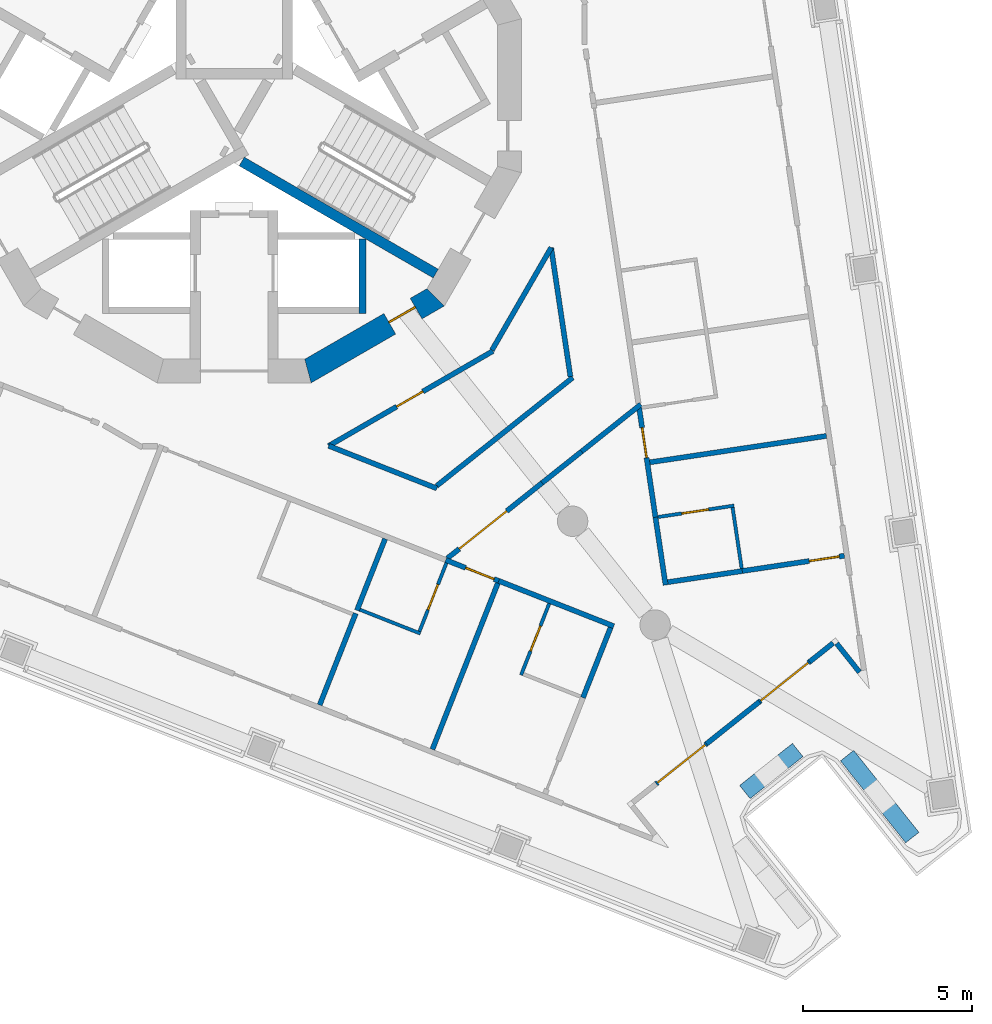
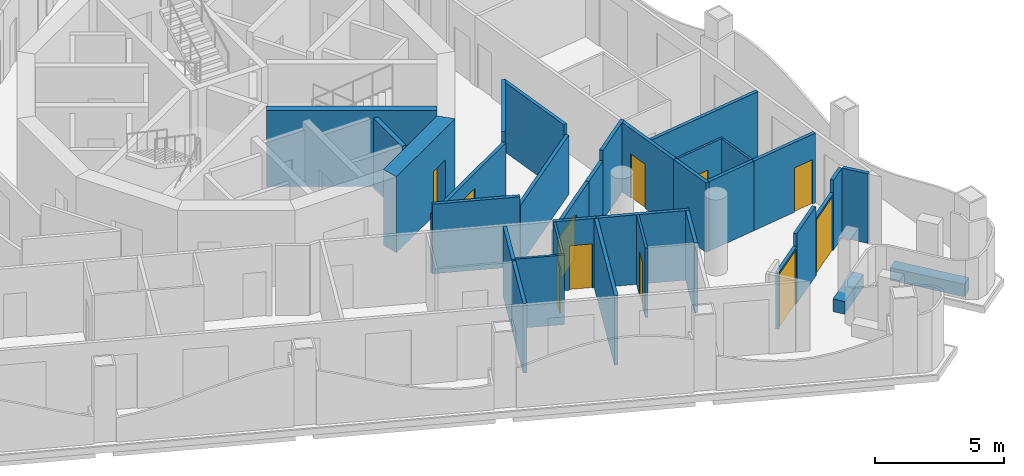
# One storey, part 5 of 16: 34 walls, 11 doors, 11 openings.
"""IFC4 building model written with IfcOpenShell, lengths in metres."""

from ifc_helpers import new_model, si_unit, direction, frame, frame_2d, origin, place, context, subcontext, project, spatial, polyline, rectangle, outline, extrude, material, layer, layer_set, type_object, element, fill, save


model = new_model("IFC4")

# Units and contexts
model_context = context("Model", 3, precision=1e-05, world=origin(), true_north=direction((0.0, 1.0)))
body_context = subcontext(model_context, "Body", "Model", "MODEL_VIEW")
ifc_project = project(units=[si_unit("LENGTHUNIT", "METRE"), si_unit("AREAUNIT", "SQUARE_METRE"), si_unit("VOLUMEUNIT", "CUBIC_METRE"), si_unit("PLANEANGLEUNIT", "RADIAN"), si_unit("MASSUNIT", "GRAM", prefix="KILO")], contexts=[model_context])

# Site, building, storey
site_placement = place(None, origin())
site = spatial("IfcSite", under=ifc_project, at=site_placement, CompositionType="ELEMENT")
building_placement = place(site_placement, origin())
building = spatial("IfcBuilding", under=site, at=building_placement, Name="Trine Commons Tower", CompositionType="ELEMENT")
storey_placement = place(building_placement, frame((0.0, 0.0, 201.60009765625)))
storey = spatial("IfcBuildingStorey", under=building, at=storey_placement, Name="L52", CompositionType="ELEMENT", Elevation=201.60009765625)

# Walls
ifc_material_1 = material(Name="Aluminium-framed insulated wall panel", Category="aluminium")
ifc_layer_1 = layer(ifc_material_1, 0.14990234375)
ifc_layer_set_1 = layer_set([ifc_layer_1], Name="Aluminium-framed insulated wall panel")
wall_type_1 = type_object("IfcWallType", Name="Glazed frame wall 150, EI 60", PredefinedType="SOLIDWALL", material=ifc_layer_set_1)
wall_1_placement = place(storey_placement, frame((98.603759765625, 45.320556640625, 0.0), z_axis=(0.0, 0.0, 1.0), x_axis=(-0.6225008228, 0.782619144676, 0.0)))
element("IfcWall", 1, at=wall_1_placement, inside=storey, type_object=wall_type_1, Name="Glazed frame wall R6", PredefinedType="SOLIDWALL", context=body_context, shape_type="SweptSolid", body=[
    extrude(outline(polyline([(0.1494140625, 0.074951171875), (0.1494140625, -0.074951171875), (1.235107421875, -0.074951171875), (1.235107421875, 0.074951171875), (0.1494140625, 0.074951171875)])), origin(), (0.0, 0.0, 1.0), 3.2998046875),
])
wall_2_placement = place(storey_placement, frame((97.815673828125, 46.367431640625, 0.0), z_axis=(0.0, 0.0, 1.0), x_axis=(-0.78265242488, -0.622458980037, 0.0)))
element("IfcWall", 2, at=wall_2_placement, inside=storey, type_object=wall_type_1, Name="Glazed frame wall P2.1", PredefinedType="SOLIDWALL", context=body_context, shape_type="SweptSolid", body=[
    extrude(outline(polyline([(0.110107421875, -0.074951171875), (1.0, -0.074951171875), (1.0, 0.074951171875), (0.110107421875, 0.074951171875), (0.110107421875, -0.074951171875)])), origin(), (0.0, 0.0, 1.0), 3.2998046875),
])

# Wall, opening, door
wall_3_placement = place(storey_placement, frame((97.033203125, 45.7451171875, 0.0), z_axis=(0.0, 0.0, 1.0), x_axis=(-0.782608167395, -0.622514623384, 0.0)))
wall_3 = element("IfcWall", 3, at=wall_3_placement, inside=storey, type_object=wall_type_1, Name="Glazed frame wall P2.2", PredefinedType="SOLIDWALL", context=body_context, shape_type="SweptSolid", body=[
    extrude(outline(polyline([(0.0, -0.074951171875), (1.89990234375, -0.074951171875), (1.89990234375, 0.074951171875), (0.0, 0.074951171875), (0.0, -0.074951171875)])), origin(), (0.0, 0.0, 1.0), 2.699951171875),
])
opening_1_placement = place(wall_3_placement, frame((0.050048828125, 0.0, 0.0)))
opening_1 = element("IfcOpeningElement", 4, at=opening_1_placement, cuts=wall_3, Name="Opening BD-6P2-01", PredefinedType="OPENING", context=body_context, shape_type="SweptSolid", body=[
    extrude(rectangle(XDim=1.800048828125, YDim=2.60009765625, at=frame_2d((0.89990234375, 1.300048828125))), frame((0.0, 0.0849609375, 0.0), z_axis=(0.0, -1.0, 0.0), x_axis=(1.0, 0.0, 0.0)), (0.0, 0.0, 1.0), 0.169921875),
])
ifc_material_2 = material(Name="Anodised aluminium frame with double glazing", Category="aluminium")
door_type_1 = type_object("IfcDoorType", Name="Sliding loggia door 1800x2600", OperationType="SLIDING_TO_LEFT", PredefinedType="DOOR", material=ifc_material_2)
door_1_placement = place(opening_1_placement, origin())
door_1 = element("IfcDoor", 5, at=door_1_placement, inside=storey, type_object=door_type_1, Name="Loggia door P2 1", OperationType="SLIDING_TO_LEFT", OverallHeight=2.60009765625, OverallWidth=1.800048828125, PredefinedType="DOOR", context=body_context, shape_type="SweptSolid", body=[
    extrude(rectangle(XDim=1.800048828125, YDim=2.60009765625, at=frame_2d((0.89990234375, 1.300048828125))), frame((0.0, 0.02490234375, 0.0), z_axis=(0.0, -1.0, 0.0), x_axis=(1.0, 0.0, 0.0)), (0.0, 0.0, 1.0), 0.050048828125),
])
fill(opening_1, door_1)

# Wall
wall_4_placement = place(storey_placement, frame((95.546142578125, 44.562255859375, 0.0), z_axis=(0.0, 0.0, 1.0), x_axis=(-0.782580779818, -0.622549052733, 0.0)))
element("IfcWall", 6, at=wall_4_placement, inside=storey, type_object=wall_type_1, Name="Glazed frame wall P2.3", PredefinedType="SOLIDWALL", context=body_context, shape_type="SweptSolid", body=[
    extrude(outline(polyline([(0.0, -0.074951171875), (2.0, -0.074951171875), (2.0, 0.074951171875), (0.0, 0.074951171875), (0.0, -0.074951171875)])), origin(), (0.0, 0.0, 1.0), 3.2998046875),
])

# Wall, opening, door
wall_5_placement = place(storey_placement, frame((93.98095703125, 43.317138671875, 0.0), z_axis=(0.0, 0.0, 1.0), x_axis=(-0.782670764896, -0.622435919415, 0.0)))
wall_5 = element("IfcWall", 7, at=wall_5_placement, inside=storey, type_object=wall_type_1, Name="Glazed frame wall P2.4", PredefinedType="SOLIDWALL", context=body_context, shape_type="SweptSolid", body=[
    extrude(outline(polyline([(0.0, -0.074951171875), (1.89990234375, -0.074951171875), (1.89990234375, 0.074951171875), (0.0, 0.074951171875), (0.0, -0.074951171875)])), origin(), (0.0, 0.0, 1.0), 2.699951171875),
])
opening_2_placement = place(wall_5_placement, frame((0.050048828125, 0.0, 0.0)))
opening_2 = element("IfcOpeningElement", 8, at=opening_2_placement, cuts=wall_5, Name="Opening BD-6P2-02", PredefinedType="OPENING", context=body_context, shape_type="SweptSolid", body=[
    extrude(rectangle(XDim=1.800048828125, YDim=2.60009765625, at=frame_2d((0.89990234375, 1.300048828125))), frame((0.0, 0.0849609375, 0.0), z_axis=(0.0, -1.0, 0.0), x_axis=(1.0, 0.0, 0.0)), (0.0, 0.0, 1.0), 0.169921875),
])
door_2_placement = place(opening_2_placement, origin())
door_2 = element("IfcDoor", 9, at=door_2_placement, inside=storey, type_object=door_type_1, Name="Loggia door P2 2", OperationType="SLIDING_TO_LEFT", OverallHeight=2.60009765625, OverallWidth=1.800048828125, PredefinedType="DOOR", context=body_context, shape_type="SweptSolid", body=[
    extrude(rectangle(XDim=1.800048828125, YDim=2.60009765625, at=frame_2d((0.89990234375, 1.300048828125))), frame((0.0, 0.02490234375, 0.0), z_axis=(0.0, -1.0, 0.0), x_axis=(1.0, 0.0, 0.0)), (0.0, 0.0, 1.0), 0.050048828125),
])
fill(opening_2, door_2)

# Walls
ifc_material_3 = material(Name="Planter trough, precast concrete C40/50", Category="concrete")
ifc_layer_2 = layer(ifc_material_3, 0.5)
ifc_layer_set_2 = layer_set([ifc_layer_2], Name="Planter trough, precast concrete C40/50")
wall_type_2 = type_object("IfcWallType", Name="Planter trough 500x600", PredefinedType="PARAPET", material=ifc_layer_set_2)
wall_6_placement = place(storey_placement, frame((100.0732421875, 40.54150390625, 0.0), z_axis=(0.0, 0.0, 1.0), x_axis=(-0.622502736232, 0.782617622715, 0.0)))
element("IfcWall", 10, at=wall_6_placement, inside=storey, type_object=wall_type_2, Name="Planter 7", PredefinedType="PARAPET", context=body_context, shape_type="SweptSolid", body=[
    extrude(rectangle(XDim=3.099853515625, YDim=0.5, at=frame_2d((1.5498046875, 0.0))), origin(), (0.0, 0.0, 1.0), 0.599853515625),
])
wall_7_placement = place(storey_placement, frame((96.68212890625, 43.134033203125, 0.0), z_axis=(0.0, 0.0, 1.0), x_axis=(-0.782580779818, -0.622549052733, 0.0)))
element("IfcWall", 11, at=wall_7_placement, inside=storey, type_object=wall_type_2, Name="Planter 8", PredefinedType="PARAPET", context=body_context, shape_type="SweptSolid", body=[
    extrude(rectangle(XDim=2.0, YDim=0.5, at=frame_2d((1.0, 0.0))), origin(), (0.0, 0.0, 1.0), 0.599853515625),
])
ifc_material_4 = material(Name="Concrete C60/75", Category="concrete")
ifc_layer_3 = layer(ifc_material_4, 0.300048828125)
ifc_layer_set_3 = layer_set([ifc_layer_3], Name="Concrete C60/75")
wall_type_3 = type_object("IfcWallType", Name="RC shear wall 300 mm, C60/75", PredefinedType="SHEAR", material=ifc_layer_set_3)
wall_8_placement = place(storey_placement, frame((80.22509765625, 60.552001953125, 0.0), z_axis=(0.0, 0.0, 1.0), x_axis=(0.866009627307, -0.500027324665, 0.0)))
element("IfcWall", 12, at=wall_8_placement, inside=storey, type_object=wall_type_3, Name="Core cross wall SWC-13 L52", PredefinedType="SHEAR", context=body_context, shape_type="SweptSolid", body=[
    extrude(rectangle(XDim=6.631591796875, YDim=0.300048828125, at=frame_2d((3.31591796875, 0.0))), origin(), (0.0, 0.0, 1.0), 3.599853515625),
])

# Wall, opening, door
ifc_layer_4 = layer(ifc_material_4, 0.699951171875)
ifc_layer_set_4 = layer_set([ifc_layer_4], Name="Concrete C60/75")
wall_type_4 = type_object("IfcWallType", Name="RC shear wall 700 mm, C60/75", PredefinedType="SHEAR", material=ifc_layer_set_4)
wall_9_placement = place(storey_placement, frame((82.1025390625, 54.302978515625, 0.0), z_axis=(0.0, 0.0, 1.0), x_axis=(0.866034756103, 0.499983800959, 0.0)))
wall_9 = element("IfcWall", 13, at=wall_9_placement, inside=storey, type_object=wall_type_4, Name="Core wall CWF-11 L52", PredefinedType="SHEAR", context=body_context, shape_type="SweptSolid", body=[
    extrude(outline(polyline([(0.0, -0.35009765625), (4.55517578125, -0.35009765625), (4.36767578125, 0.35009765625), (0.1875, 0.35009765625), (0.0, -0.35009765625)])), origin(), (0.0, 0.0, 1.0), 3.599853515625),
])
opening_3_placement = place(wall_9_placement, frame((2.891845703125, 0.0, 0.0)))
opening_3 = element("IfcOpeningElement", 14, at=opening_3_placement, cuts=wall_9, Name="Opening K16.16", PredefinedType="OPENING", context=body_context, shape_type="SweptSolid", body=[
    extrude(rectangle(XDim=0.89990234375, YDim=2.10009765625, at=frame_2d((0.449951171875, 1.050048828125))), frame((0.0, 0.35986328125, 0.0), z_axis=(0.0, -1.0, 0.0), x_axis=(1.0, 0.0, 0.0)), (0.0, 0.0, 1.0), 0.719970703125),
])
ifc_material_5 = material(Name="Steel door leaf, fire-rated", Category="steel")
door_type_2 = type_object("IfcDoorType", Name="Core room door, single leaf 900 x 2100, FD30S", OperationType="SINGLE_SWING_LEFT", PredefinedType="DOOR", material=ifc_material_5)
door_3_placement = place(opening_3_placement, origin())
door_3 = element("IfcDoor", 15, at=door_3_placement, inside=storey, type_object=door_type_2, Name="Door to Core WC L52", OperationType="SINGLE_SWING_RIGHT", OverallHeight=2.10009765625, OverallWidth=0.89990234375, PredefinedType="DOOR", context=body_context, shape_type="SweptSolid", body=[
    extrude(rectangle(XDim=0.89990234375, YDim=2.10009765625, at=frame_2d((0.449951171875, 1.050048828125))), frame((0.0, 0.0751953125, 0.0), z_axis=(0.0, -1.0, 0.0), x_axis=(1.0, 0.0, 0.0)), (0.0, 0.0, 1.0), 0.050048828125),
])
fill(opening_3, door_3)

# Walls
ifc_material_6 = material(Name="Fire-rated gypsum shaft wall system")
ifc_layer_5 = layer(ifc_material_6, 0.199951171875)
ifc_layer_set_5 = layer_set([ifc_layer_5], Name="Fire-rated gypsum shaft wall system")
wall_type_5 = type_object("IfcWallType", Name="Shaft wall 200 mm, EI 120", PredefinedType="PARTITIONING", material=ifc_layer_set_5)
wall_10_placement = place(storey_placement, frame((83.800048828125, 58.257080078125, 0.0), z_axis=(0.0, 0.0, 1.0), x_axis=(0.0, -1.0, 0.0)))
element("IfcWall", 16, at=wall_10_placement, inside=storey, type_object=wall_type_5, Name="Shaft wall L52", PredefinedType="PARTITIONING", context=body_context, shape_type="SweptSolid", body=[
    extrude(rectangle(XDim=2.20703125, YDim=0.199951171875, at=frame_2d((1.103515625, 0.0))), origin(), (0.0, 0.0, 1.0), 3.2998046875),
])
ifc_material_7 = material(Name="Gypsum plasterboard on steel stud", Category="steel")
ifc_layer_6 = layer(ifc_material_7, 0.14990234375)
ifc_layer_set_6 = layer_set([ifc_layer_6], Name="Gypsum plasterboard on steel stud")
wall_type_6 = type_object("IfcWallType", Name="Unit and corridor wall 150 mm, EI 60", PredefinedType="PARTITIONING", material=ifc_layer_set_6)
wall_11_placement = place(storey_placement, frame((82.53173828125, 44.46728515625, 0.0), z_axis=(0.0, 0.0, 1.0), x_axis=(0.366805887966, 0.9302975011, 0.0)))
element("IfcWall", 17, at=wall_11_placement, inside=storey, type_object=wall_type_6, Name="Partition 064", PredefinedType="PARTITIONING", context=body_context, shape_type="SweptSolid", body=[
    extrude(rectangle(XDim=2.913330078125, YDim=0.14990234375, at=frame_2d((1.45654296875, 0.0))), origin(), (0.0, 0.0, 1.0), 3.2998046875),
])

# Wall, opening, door
wall_12_placement = place(storey_placement, frame((82.798095703125, 52.135009765625, 0.0), z_axis=(0.0, 0.0, 1.0), x_axis=(0.865994393525, 0.500053707499, 0.0)))
wall_12 = element("IfcWall", 18, at=wall_12_placement, inside=storey, type_object=wall_type_6, Name="Partition 067", PredefinedType="PARTITIONING", context=body_context, shape_type="SweptSolid", body=[
    extrude(rectangle(XDim=5.6142578125, YDim=0.14990234375, at=frame_2d((2.80712890625, 0.0))), origin(), (0.0, 0.0, 1.0), 2.7998046875),
])
opening_4_placement = place(wall_12_placement, frame((2.321533203125, 0.0, 0.0)))
opening_4 = element("IfcOpeningElement", 19, at=opening_4_placement, cuts=wall_12, Name="Opening D-6A26", PredefinedType="OPENING", context=body_context, shape_type="SweptSolid", body=[
    extrude(rectangle(XDim=0.89990234375, YDim=2.10009765625, at=frame_2d((0.449951171875, 1.050048828125))), frame((0.0, 0.0849609375, 0.0), z_axis=(0.0, -1.0, 0.0), x_axis=(1.0, 0.0, 0.0)), (0.0, 0.0, 1.0), 0.169921875),
])
ifc_material_8 = material(Name="Timber fire door set", Category="wood")
door_type_3 = type_object("IfcDoorType", Name="Service door 900 x 2100, FD30S", OperationType="NOTDEFINED", PredefinedType="DOOR", material=ifc_material_8)
door_4_placement = place(opening_4_placement, frame((0.89990234375, 0.0, 0.0), z_axis=(0.0, 0.0, 1.0), x_axis=(-1.0, 0.0, 0.0)))
door_4 = element("IfcDoor", 20, at=door_4_placement, inside=storey, type_object=door_type_3, Name="Door D-6A26", OperationType="SINGLE_SWING_RIGHT", OverallHeight=2.10009765625, OverallWidth=0.89990234375, PredefinedType="DOOR", context=body_context, shape_type="SweptSolid", body=[
    extrude(rectangle(XDim=0.89990234375, YDim=2.10009765625, at=frame_2d((0.449951171875, 1.050048828125))), frame((0.0, 0.02490234375, 0.0), z_axis=(0.0, -1.0, 0.0), x_axis=(1.0, 0.0, 0.0)), (0.0, 0.0, 1.0), 0.050048828125),
])
fill(opening_4, door_4)

# Walls
wall_13_placement = place(storey_placement, frame((82.801025390625, 52.136962890625, 0.0), z_axis=(0.0, 0.0, 1.0), x_axis=(0.930387129981, -0.366578488685, 0.0)))
element("IfcWall", 21, at=wall_13_placement, inside=storey, type_object=wall_type_6, Name="Partition 068", PredefinedType="PARTITIONING", context=body_context, shape_type="SweptSolid", body=[
    extrude(rectangle(XDim=3.441162109375, YDim=0.14990234375, at=frame_2d((1.720703125, 0.0))), origin(), (0.0, 0.0, 1.0), 3.2998046875),
])
wall_14_placement = place(storey_placement, frame((83.6357421875, 47.267578125, 0.0), z_axis=(0.0, 0.0, 1.0), x_axis=(0.366482291334, 0.930425026608, 0.0)))
element("IfcWall", 22, at=wall_14_placement, inside=storey, type_object=wall_type_6, Name="Partition 072", PredefinedType="PARTITIONING", context=body_context, shape_type="SweptSolid", body=[
    extrude(rectangle(XDim=2.27490234375, YDim=0.14990234375, at=frame_2d((1.137451171875, 0.0))), origin(), (0.0, 0.0, 1.0), 3.2998046875),
])
wall_15_placement = place(storey_placement, frame((85.86865234375, 43.152099609375, 0.0), z_axis=(0.0, 0.0, 1.0), x_axis=(0.366408201445, 0.930454206242, 0.0)))
element("IfcWall", 23, at=wall_15_placement, inside=storey, type_object=wall_type_6, Name="Partition 080", PredefinedType="PARTITIONING", context=body_context, shape_type="SweptSolid", body=[
    extrude(rectangle(XDim=5.285888671875, YDim=0.14990234375, at=frame_2d((2.64306640625, 0.0))), origin(), (0.0, 0.0, 1.0), 3.2998046875),
])
wall_16_placement = place(storey_placement, frame((85.99169921875, 50.94970703125, 0.0), z_axis=(0.0, 0.0, 1.0), x_axis=(0.782530221945, 0.622612601657, 0.0)))
element("IfcWall", 24, at=wall_16_placement, inside=storey, type_object=wall_type_6, Name="Partition 081", PredefinedType="PARTITIONING", context=body_context, shape_type="SweptSolid", body=[
    extrude(rectangle(XDim=5.152587890625, YDim=0.14990234375, at=frame_2d((2.576171875, 0.0))), origin(), (0.0, 0.0, 1.0), 2.7998046875),
])

# Wall, opening, door
wall_17_placement = place(storey_placement, frame((86.311767578125, 48.80859375, 0.0), z_axis=(0.0, 0.0, 1.0), x_axis=(0.782487894098, 0.622665797672, 0.0)))
wall_17 = element("IfcWall", 25, at=wall_17_placement, inside=storey, type_object=wall_type_6, Name="Partition 082", PredefinedType="PARTITIONING", context=body_context, shape_type="SweptSolid", body=[
    extrude(rectangle(XDim=3.583740234375, YDim=0.14990234375, at=frame_2d((1.7919921875, 0.0))), origin(), (0.0, 0.0, 1.0), 2.7998046875),
])
opening_5_placement = place(wall_17_placement, frame((0.44677734375, 0.0, 0.0)))
opening_5 = element("IfcOpeningElement", 26, at=opening_5_placement, cuts=wall_17, Name="Opening D-6A02", PredefinedType="OPENING", context=body_context, shape_type="SweptSolid", body=[
    extrude(rectangle(XDim=1.800048828125, YDim=2.10009765625, at=frame_2d((0.89990234375, 1.050048828125))), frame((0.0, 0.0849609375, 0.0), z_axis=(0.0, -1.0, 0.0), x_axis=(1.0, 0.0, 0.0)), (0.0, 0.0, 1.0), 0.169921875),
])
door_type_4 = type_object("IfcDoorType", Name="Cluster entrance door 1800 x 2100, double leaf, FD30S", OperationType="DOUBLE_DOOR_DOUBLE_SWING", PredefinedType="DOOR", material=ifc_material_8)
door_5_placement = place(opening_5_placement, frame((1.800048828125, 0.0, 0.0), z_axis=(0.0, 0.0, 1.0), x_axis=(-1.0, 0.0, 0.0)))
door_5 = element("IfcDoor", 27, at=door_5_placement, inside=storey, type_object=door_type_4, Name="Door D-6A02", OperationType="DOUBLE_DOOR_DOUBLE_SWING", OverallHeight=2.10009765625, OverallWidth=1.800048828125, PredefinedType="DOOR", context=body_context, shape_type="SweptSolid", body=[
    extrude(rectangle(XDim=1.800048828125, YDim=2.10009765625, at=frame_2d((0.89990234375, 1.050048828125))), frame((0.0, 0.02490234375, 0.0), z_axis=(0.0, -1.0, 0.0), x_axis=(1.0, 0.0, 0.0)), (0.0, 0.0, 1.0), 0.050048828125),
])
fill(opening_5, door_5)

wall_18_placement = place(storey_placement, frame((86.261474609375, 48.75927734375, 0.0), z_axis=(0.0, 0.0, 1.0), x_axis=(0.930348637747, -0.366676168085, 0.0)))
wall_18 = element("IfcWall", 28, at=wall_18_placement, inside=storey, type_object=wall_type_6, Name="Partition 083", PredefinedType="PARTITIONING", context=body_context, shape_type="SweptSolid", body=[
    extrude(rectangle(XDim=1.689208984375, YDim=0.14990234375, at=frame_2d((0.8447265625, 0.0))), origin(), (0.0, 0.0, 1.0), 3.2998046875),
])
opening_6_placement = place(wall_18_placement, frame((0.63916015625, 0.0, 0.0)))
opening_6 = element("IfcOpeningElement", 29, at=opening_6_placement, cuts=wall_18, Name="Opening D-6A21", PredefinedType="OPENING", context=body_context, shape_type="SweptSolid", body=[
    extrude(rectangle(XDim=0.89990234375, YDim=2.10009765625, at=frame_2d((0.449951171875, 1.050048828125))), frame((0.0, 0.0849609375, 0.0), z_axis=(0.0, -1.0, 0.0), x_axis=(1.0, 0.0, 0.0)), (0.0, 0.0, 1.0), 0.169921875),
])
door_type_5 = type_object("IfcDoorType", Name="Bedroom door 900 x 2100, FD30S", OperationType="NOTDEFINED", PredefinedType="DOOR", material=ifc_material_8)
door_6_placement = place(opening_6_placement, frame((0.89990234375, 0.0, 0.0), z_axis=(0.0, 0.0, 1.0), x_axis=(-1.0, 0.0, 0.0)))
door_6 = element("IfcDoor", 30, at=door_6_placement, inside=storey, type_object=door_type_5, Name="Door D-6A21", OperationType="SINGLE_SWING_LEFT", OverallHeight=2.10009765625, OverallWidth=0.89990234375, PredefinedType="DOOR", context=body_context, shape_type="SweptSolid", body=[
    extrude(rectangle(XDim=0.89990234375, YDim=2.10009765625, at=frame_2d((0.449951171875, 1.050048828125))), frame((0.0, 0.02490234375, 0.0), z_axis=(0.0, -1.0, 0.0), x_axis=(1.0, 0.0, 0.0)), (0.0, 0.0, 1.0), 0.050048828125),
])
fill(opening_6, door_6)

# Walls
wall_19_placement = place(storey_placement, frame((87.632568359375, 54.969970703125, 0.0), z_axis=(0.0, 0.0, 1.0), x_axis=(0.50005009493, 0.865996479531, 0.0)))
element("IfcWall", 31, at=wall_19_placement, inside=storey, type_object=wall_type_6, Name="Partition 086", PredefinedType="PARTITIONING", context=body_context, shape_type="SweptSolid", body=[
    extrude(rectangle(XDim=3.504638671875, YDim=0.14990234375, at=frame_2d((1.75244140625, 0.0))), origin(), (0.0, 0.0, 1.0), 3.2998046875),
])
wall_20_placement = place(storey_placement, frame((87.8330078125, 48.139892578125, 0.0), z_axis=(0.0, 0.0, 1.0), x_axis=(0.930350489768, -0.366671469014, 0.0)))
element("IfcWall", 32, at=wall_20_placement, inside=storey, type_object=wall_type_6, Name="Partition 087", PredefinedType="PARTITIONING", context=body_context, shape_type="SweptSolid", body=[
    extrude(rectangle(XDim=3.66064453125, YDim=0.14990234375, at=frame_2d((1.830322265625, 0.0))), origin(), (0.0, 0.0, 1.0), 3.2998046875),
])
wall_21_placement = place(storey_placement, frame((89.115966796875, 51.0400390625, 0.0), z_axis=(0.0, 0.0, 1.0), x_axis=(0.7828906441, 0.622159336007, 0.0)))
element("IfcWall", 33, at=wall_21_placement, inside=storey, type_object=wall_type_6, Name="Partition 099", PredefinedType="PARTITIONING", context=body_context, shape_type="SweptSolid", body=[
    extrude(rectangle(XDim=1.4931640625, YDim=0.14990234375, at=frame_2d((0.74658203125, 0.0))), origin(), (0.0, 0.0, 1.0), 2.7998046875),
])
wall_22_placement = place(storey_placement, frame((89.383056640625, 58.001953125, 0.0), z_axis=(0.0, 0.0, 1.0), x_axis=(0.14791043165, -0.989000760469, 0.0)))
element("IfcWall", 34, at=wall_22_placement, inside=storey, type_object=wall_type_6, Name="Partition 103", PredefinedType="PARTITIONING", context=body_context, shape_type="SweptSolid", body=[
    extrude(rectangle(XDim=3.859130859375, YDim=0.14990234375, at=frame_2d((1.9296875, 0.0))), origin(), (0.0, 0.0, 1.0), 3.2998046875),
])
wall_23_placement = place(storey_placement, frame((90.284912109375, 51.968994140625, 0.0), z_axis=(0.0, 0.0, 1.0), x_axis=(0.782471905859, 0.622685889145, 0.0)))
element("IfcWall", 35, at=wall_23_placement, inside=storey, type_object=wall_type_6, Name="Partition 107", PredefinedType="PARTITIONING", context=body_context, shape_type="SweptSolid", body=[
    extrude(rectangle(XDim=2.239990234375, YDim=0.14990234375, at=frame_2d((1.1201171875, 0.0))), origin(), (0.0, 0.0, 1.0), 3.2998046875),
])
wall_24_placement = place(storey_placement, frame((90.324951171875, 44.681884765625, 0.0), z_axis=(0.0, 0.0, 1.0), x_axis=(0.366492903007, 0.930420846738, 0.0)))
element("IfcWall", 36, at=wall_24_placement, inside=storey, type_object=wall_type_6, Name="Partition 108", PredefinedType="PARTITIONING", context=body_context, shape_type="SweptSolid", body=[
    extrude(rectangle(XDim=2.228271484375, YDim=0.14990234375, at=frame_2d((1.1142578125, 0.0))), origin(), (0.0, 0.0, 1.0), 3.2998046875),
])

# Wall, opening, door
wall_25_placement = place(storey_placement, frame((91.980712890625, 53.3095703125, 0.0), z_axis=(0.0, 0.0, 1.0), x_axis=(0.147462331027, -0.989067672572, 0.0)))
wall_25 = element("IfcWall", 37, at=wall_25_placement, inside=storey, type_object=wall_type_6, Name="Partition 116", PredefinedType="PARTITIONING", context=body_context, shape_type="SweptSolid", body=[
    extrude(rectangle(XDim=3.3310546875, YDim=0.14990234375, at=frame_2d((1.66552734375, 0.0))), origin(), (0.0, 0.0, 1.0), 3.2998046875),
])
opening_7_placement = place(wall_25_placement, frame((0.639892578125, 0.0, 0.0)))
opening_7 = element("IfcOpeningElement", 38, at=opening_7_placement, cuts=wall_25, Name="Opening D-6A18", PredefinedType="OPENING", context=body_context, shape_type="SweptSolid", body=[
    extrude(rectangle(XDim=0.89990234375, YDim=2.10009765625, at=frame_2d((0.449951171875, 1.050048828125))), frame((0.0, 0.0849609375, 0.0), z_axis=(0.0, -1.0, 0.0), x_axis=(1.0, 0.0, 0.0)), (0.0, 0.0, 1.0), 0.169921875),
])
door_7_placement = place(opening_7_placement, origin())
door_7 = element("IfcDoor", 39, at=door_7_placement, inside=storey, type_object=door_type_5, Name="Door D-6A18", OperationType="SINGLE_SWING_LEFT", OverallHeight=2.10009765625, OverallWidth=0.89990234375, PredefinedType="DOOR", context=body_context, shape_type="SweptSolid", body=[
    extrude(rectangle(XDim=0.89990234375, YDim=2.10009765625, at=frame_2d((0.449951171875, 1.050048828125))), frame((0.0, 0.02490234375, 0.0), z_axis=(0.0, -1.0, 0.0), x_axis=(1.0, 0.0, 0.0)), (0.0, 0.0, 1.0), 0.050048828125),
])
fill(opening_7, door_7)

# Walls
wall_26_placement = place(storey_placement, frame((92.30419921875, 51.649169921875, 0.0), z_axis=(0.0, 0.0, 1.0), x_axis=(0.98902190879, 0.147768954566, 0.0)))
element("IfcWall", 40, at=wall_26_placement, inside=storey, type_object=wall_type_6, Name="Partition 118", PredefinedType="PARTITIONING", context=body_context, shape_type="SweptSolid", body=[
    extrude(rectangle(XDim=5.285400390625, YDim=0.14990234375, at=frame_2d((2.642578125, 0.0))), origin(), (0.0, 0.0, 1.0), 3.2998046875),
])
wall_27_placement = place(storey_placement, frame((92.470947265625, 50.02294921875, 0.0), z_axis=(0.0, 0.0, 1.0), x_axis=(0.147922563544, -0.988998946003, 0.0)))
element("IfcWall", 41, at=wall_27_placement, inside=storey, type_object=wall_type_6, Name="Partition 119", PredefinedType="PARTITIONING", context=body_context, shape_type="SweptSolid", body=[
    extrude(rectangle(XDim=2.0283203125, YDim=0.14990234375, at=frame_2d((1.01416015625, 0.0))), origin(), (0.0, 0.0, 1.0), 3.2998046875),
])
wall_28_placement = place(storey_placement, frame((92.834228515625, 48.10205078125, 0.0), z_axis=(0.0, 0.0, 1.0), x_axis=(0.989058920162, 0.147521023747, 0.0)))
element("IfcWall", 42, at=wall_28_placement, inside=storey, type_object=wall_type_6, Name="Partition 121", PredefinedType="PARTITIONING", context=body_context, shape_type="SweptSolid", body=[
    extrude(rectangle(XDim=2.229248046875, YDim=0.14990234375, at=frame_2d((1.11474609375, 0.0))), origin(), (0.0, 0.0, 1.0), 3.2998046875),
])

# Wall, opening, door
wall_29_placement = place(storey_placement, frame((94.9814453125, 48.422607421875, 0.0), z_axis=(0.0, 0.0, 1.0), x_axis=(0.989008118829, 0.147861221729, 0.0)))
wall_29 = element("IfcWall", 43, at=wall_29_placement, inside=storey, type_object=wall_type_6, Name="Partition 124", PredefinedType="PARTITIONING", context=body_context, shape_type="SweptSolid", body=[
    extrude(rectangle(XDim=3.114013671875, YDim=0.14990234375, at=frame_2d((1.55712890625, 0.0))), origin(), (0.0, 0.0, 1.0), 3.2998046875),
])
opening_8_placement = place(wall_29_placement, frame((2.064208984375, 0.0, 0.0)))
opening_8 = element("IfcOpeningElement", 44, at=opening_8_placement, cuts=wall_29, Name="Opening D-6A19", PredefinedType="OPENING", context=body_context, shape_type="SweptSolid", body=[
    extrude(rectangle(XDim=0.89990234375, YDim=2.10009765625, at=frame_2d((0.449951171875, 1.050048828125))), frame((0.0, 0.0849609375, 0.0), z_axis=(0.0, -1.0, 0.0), x_axis=(1.0, 0.0, 0.0)), (0.0, 0.0, 1.0), 0.169921875),
])
door_8_placement = place(opening_8_placement, origin())
door_8 = element("IfcDoor", 45, at=door_8_placement, inside=storey, type_object=door_type_5, Name="Door D-6A19", OperationType="SINGLE_SWING_RIGHT", OverallHeight=2.10009765625, OverallWidth=0.89990234375, PredefinedType="DOOR", context=body_context, shape_type="SweptSolid", body=[
    extrude(rectangle(XDim=0.89990234375, YDim=2.10009765625, at=frame_2d((0.449951171875, 1.050048828125))), frame((0.0, 0.02490234375, 0.0), z_axis=(0.0, -1.0, 0.0), x_axis=(1.0, 0.0, 0.0)), (0.0, 0.0, 1.0), 0.050048828125),
])
fill(opening_8, door_8)

# Wall
ifc_layer_7 = layer(ifc_material_7, 0.10009765625)
ifc_layer_set_7 = layer_set([ifc_layer_7], Name="Gypsum plasterboard on steel stud")
wall_type_7 = type_object("IfcWallType", Name="Unit partition 100 mm, no rating", PredefinedType="PARTITIONING", material=ifc_layer_set_7)
wall_30_placement = place(storey_placement, frame((83.723876953125, 47.28662109375, 0.0), z_axis=(0.0, 0.0, 1.0), x_axis=(0.930328407888, -0.36672749212, 0.0)))
element("IfcWall", 46, at=wall_30_placement, inside=storey, type_object=wall_type_7, Name="Partition 073", PredefinedType="PARTITIONING", context=body_context, shape_type="SweptSolid", body=[
    extrude(rectangle(XDim=1.924560546875, YDim=0.10009765625, at=frame_2d((0.96240234375, 0.0))), origin(), (0.0, 0.0, 1.0), 3.2998046875),
])

# Wall, opening, door
wall_31_placement = place(storey_placement, frame((85.486328125, 46.6455078125, 0.0), z_axis=(0.0, 0.0, 1.0), x_axis=(0.366489184141, 0.930422311592, 0.0)))
wall_31 = element("IfcWall", 47, at=wall_31_placement, inside=storey, type_object=wall_type_7, Name="Partition 079", PredefinedType="PARTITIONING", context=body_context, shape_type="SweptSolid", body=[
    extrude(rectangle(XDim=2.175048828125, YDim=0.10009765625, at=frame_2d((1.08740234375, 0.0))), origin(), (0.0, 0.0, 1.0), 3.2998046875),
])
opening_9_placement = place(wall_31_placement, frame((0.6875, 0.0, 0.0)))
opening_9 = element("IfcOpeningElement", 48, at=opening_9_placement, cuts=wall_31, Name="Opening D-6A41", PredefinedType="OPENING", context=body_context, shape_type="SweptSolid", body=[
    extrude(rectangle(XDim=0.800048828125, YDim=2.10009765625, at=frame_2d((0.39990234375, 1.050048828125))), frame((0.0, 0.06005859375, 0.0), z_axis=(0.0, -1.0, 0.0), x_axis=(1.0, 0.0, 0.0)), (0.0, 0.0, 1.0), 0.1201171875),
])
ifc_material_9 = material(Name="Painted timber", Category="wood")
door_type_6 = type_object("IfcDoorType", Name="Internal door 800 x 2100, NOT RATED", OperationType="NOTDEFINED", PredefinedType="DOOR", material=ifc_material_9)
door_9_placement = place(opening_9_placement, frame((0.800048828125, 0.0, 0.0), z_axis=(0.0, 0.0, 1.0), x_axis=(-1.0, 0.0, 0.0)))
door_9 = element("IfcDoor", 49, at=door_9_placement, inside=storey, type_object=door_type_6, Name="Door D-6A41", OperationType="SINGLE_SWING_LEFT", OverallHeight=2.10009765625, OverallWidth=0.800048828125, PredefinedType="DOOR", context=body_context, shape_type="SweptSolid", body=[
    extrude(rectangle(XDim=0.800048828125, YDim=2.10009765625, at=frame_2d((0.39990234375, 1.050048828125))), frame((0.0, 0.02490234375, 0.0), z_axis=(0.0, -1.0, 0.0), x_axis=(1.0, 0.0, 0.0)), (0.0, 0.0, 1.0), 0.050048828125),
])
fill(opening_9, door_9)

wall_32_placement = place(storey_placement, frame((88.49365234375, 45.353515625, 0.0), z_axis=(0.0, 0.0, 1.0), x_axis=(0.366482291334, 0.930425026608, 0.0)))
wall_32 = element("IfcWall", 50, at=wall_32_placement, inside=storey, type_object=wall_type_7, Name="Partition 092", PredefinedType="PARTITIONING", context=body_context, shape_type="SweptSolid", body=[
    extrude(rectangle(XDim=2.27490234375, YDim=0.10009765625, at=frame_2d((1.137451171875, 0.0))), origin(), (0.0, 0.0, 1.0), 3.2998046875),
])
opening_10_placement = place(wall_32_placement, frame((0.762451171875, 0.0, 0.0)))
opening_10 = element("IfcOpeningElement", 51, at=opening_10_placement, cuts=wall_32, Name="Opening D-6A40", PredefinedType="OPENING", context=body_context, shape_type="SweptSolid", body=[
    extrude(rectangle(XDim=0.800048828125, YDim=2.10009765625, at=frame_2d((0.39990234375, 1.050048828125))), frame((0.0, 0.06005859375, 0.0), z_axis=(0.0, -1.0, 0.0), x_axis=(1.0, 0.0, 0.0)), (0.0, 0.0, 1.0), 0.1201171875),
])
door_10_placement = place(opening_10_placement, origin())
door_10 = element("IfcDoor", 52, at=door_10_placement, inside=storey, type_object=door_type_6, Name="Door D-6A40", OperationType="SINGLE_SWING_RIGHT", OverallHeight=2.10009765625, OverallWidth=0.800048828125, PredefinedType="DOOR", context=body_context, shape_type="SweptSolid", body=[
    extrude(rectangle(XDim=0.800048828125, YDim=2.10009765625, at=frame_2d((0.39990234375, 1.050048828125))), frame((0.0, 0.02490234375, 0.0), z_axis=(0.0, -1.0, 0.0), x_axis=(1.0, 0.0, 0.0)), (0.0, 0.0, 1.0), 0.050048828125),
])
fill(opening_10, door_10)

wall_33_placement = place(storey_placement, frame((92.546142578125, 50.030029296875, 0.0), z_axis=(0.0, 0.0, 1.0), x_axis=(0.989007860101, 0.147862952286, 0.0)))
wall_33 = element("IfcWall", 53, at=wall_33_placement, inside=storey, type_object=wall_type_7, Name="Partition 120", PredefinedType="PARTITIONING", context=body_context, shape_type="SweptSolid", body=[
    extrude(rectangle(XDim=2.275146484375, YDim=0.10009765625, at=frame_2d((1.1376953125, 0.0))), origin(), (0.0, 0.0, 1.0), 3.2998046875),
])
opening_11_placement = place(wall_33_placement, frame((0.712646484375, 0.0, 0.0)))
opening_11 = element("IfcOpeningElement", 54, at=opening_11_placement, cuts=wall_33, Name="Opening D-6A39", PredefinedType="OPENING", context=body_context, shape_type="SweptSolid", body=[
    extrude(rectangle(XDim=0.800048828125, YDim=2.10009765625, at=frame_2d((0.39990234375, 1.050048828125))), frame((0.0, 0.06005859375, 0.0), z_axis=(0.0, -1.0, 0.0), x_axis=(1.0, 0.0, 0.0)), (0.0, 0.0, 1.0), 0.1201171875),
])
door_11_placement = place(opening_11_placement, origin())
door_11 = element("IfcDoor", 55, at=door_11_placement, inside=storey, type_object=door_type_6, Name="Door D-6A39", OperationType="SINGLE_SWING_LEFT", OverallHeight=2.10009765625, OverallWidth=0.800048828125, PredefinedType="DOOR", context=body_context, shape_type="SweptSolid", body=[
    extrude(rectangle(XDim=0.800048828125, YDim=2.10009765625, at=frame_2d((0.39990234375, 1.050048828125))), frame((0.0, 0.02490234375, 0.0), z_axis=(0.0, -1.0, 0.0), x_axis=(1.0, 0.0, 0.0)), (0.0, 0.0, 1.0), 0.050048828125),
])
fill(opening_11, door_11)

# Wall
wall_34_placement = place(storey_placement, frame((94.75439453125, 50.3095703125, 0.0), z_axis=(0.0, 0.0, 1.0), x_axis=(0.14773187693, -0.989027447819, 0.0)))
element("IfcWall", 56, at=wall_34_placement, inside=storey, type_object=wall_type_7, Name="Partition 123", PredefinedType="PARTITIONING", context=body_context, shape_type="SweptSolid", body=[
    extrude(rectangle(XDim=1.824462890625, YDim=0.10009765625, at=frame_2d((0.912109375, 0.0))), origin(), (0.0, 0.0, 1.0), 3.2998046875),
])

save(model, "model.ifc")
